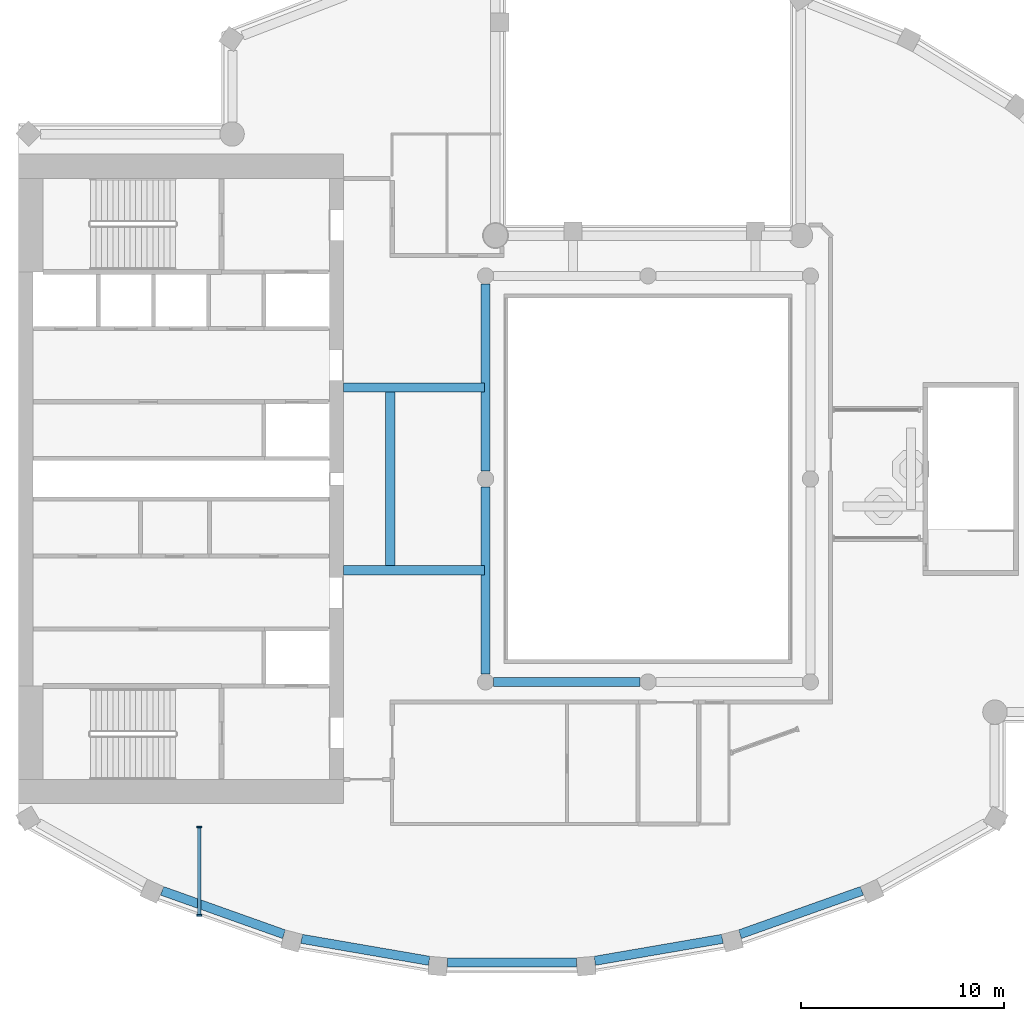
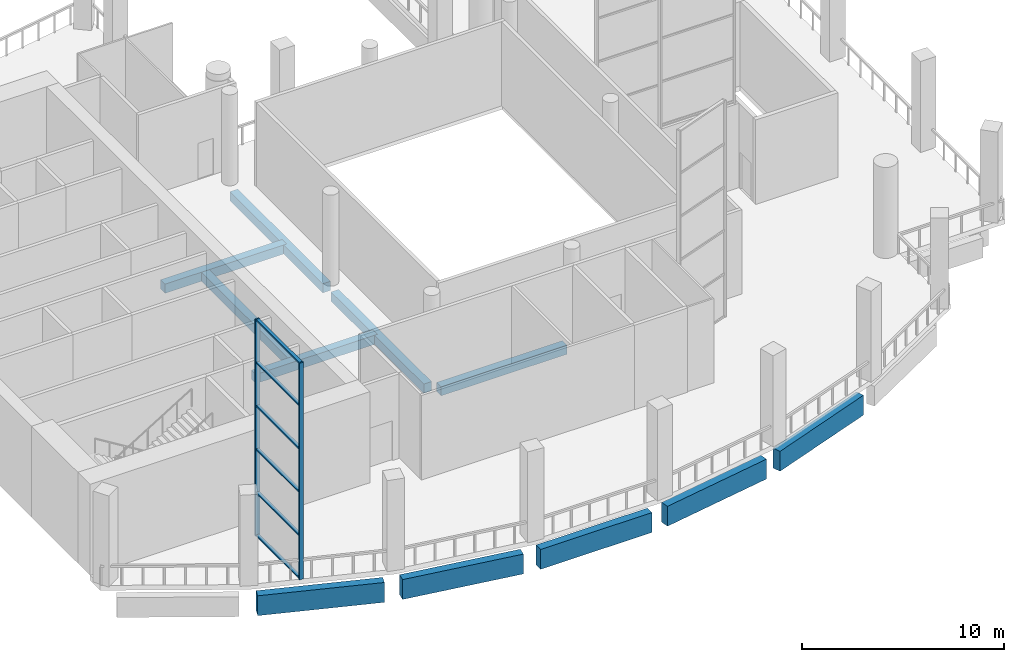
# One storey, part 2 of 12: 11 beams, 8 members, 1 element without a shape of its own.
"""IFC4 building model written with IfcOpenShell, lengths in metres."""

import ifcopenshell
import ifcopenshell.guid

model = None  # the IFC model being written
_history = None  # IfcOwnerHistory: only IFC2X3 demands one
_inside = {}  # id of a spatial element -> (the spatial element, [elements in it])
_under = {}  # id of a project, library or spatial element -> (it, [spatial elements below it])
_declared = {}  # id of a project -> (the project, [libraries it declares])
_typed = {}  # id of a type object -> (the type object, [elements of that type])
_made_of = {}  # id of a material, layer set ... -> (it, [elements and type objects made of it])


def new_model(schema):
    """Start an empty IFC model of exactly this schema.

    Asked for "IFC4X3", IfcOpenShell would pick the latest addendum, in which some entities
    have other attributes; the version numbers below select the first issue.
    IFC2X3 requires an IfcOwnerHistory on every rooted entity: one is made here for all.
    """
    global model, _history
    if schema == "IFC4X3":
        model = ifcopenshell.file(schema_version=(4, 3, 0, 0))
    else:
        model = ifcopenshell.file(schema=schema)
    _inside.clear()
    _under.clear()
    _declared.clear()
    _typed.clear()
    _made_of.clear()
    _history = None
    if model.schema == "IFC2X3":
        org = make("IfcOrganization", Name="unknown")
        user = make(
            "IfcPersonAndOrganization",
            ThePerson=make("IfcPerson", FamilyName="unknown"),
            TheOrganization=org,
        )
        app = make(
            "IfcApplication",
            ApplicationDeveloper=org,
            Version="unknown",
            ApplicationFullName="unknown",
            ApplicationIdentifier="unknown",
        )
        _history = make(
            "IfcOwnerHistory",
            OwningUser=user,
            OwningApplication=app,
            ChangeAction="ADDED",
            CreationDate=0,
        )
    return model


def make(cls, **values):
    """One entity of the class cls with the attributes given. An attribute that is None is left unset."""
    return model.create_entity(
        cls, **{name: value for name, value in values.items() if value is not None}
    )


def rooted(cls, **values):
    """An entity with a GlobalId (a new one), such as an element, a storey or a relation."""
    return make(cls, GlobalId=ifcopenshell.guid.new(), OwnerHistory=_history, **values)


def si_unit(unit_type, name, prefix=None):
    """IfcSIUnit, for example si_unit("LENGTHUNIT", "METRE", prefix="MILLI")."""
    return make("IfcSIUnit", UnitType=unit_type, Prefix=prefix, Name=name)


def assignment(units):
    """IfcUnitAssignment: the units of a project."""
    return None if units is None else make("IfcUnitAssignment", Units=units)


def point(xyz):
    """IfcCartesianPoint."""
    return None if xyz is None else make("IfcCartesianPoint", Coordinates=xyz)


def direction(xyz):
    """IfcDirection."""
    return None if xyz is None else make("IfcDirection", DirectionRatios=xyz)


def frame(location, z_axis=None, x_axis=None):
    """IfcAxis2Placement3D, a coordinate frame: its origin and axes. An axis left out is left unset."""
    return make(
        "IfcAxis2Placement3D",
        Location=point(location),
        Axis=direction(z_axis),
        RefDirection=direction(x_axis),
    )


def frame_2d(location, x_axis=None):
    """IfcAxis2Placement2D, a coordinate frame in the plane: its origin and x axis."""
    return make(
        "IfcAxis2Placement2D", Location=point(location), RefDirection=direction(x_axis)
    )


def origin():
    """The frame at (0, 0, 0) with its axes left unset."""
    return frame((0.0, 0.0, 0.0))


def origin_2d():
    """The frame at (0, 0) in the plane with its x axis left unset."""
    return frame_2d((0.0, 0.0))


def place(relative_to, where):
    """IfcLocalPlacement: puts the frame where relative to a parent placement (None: the world)."""
    return make(
        "IfcLocalPlacement", PlacementRelTo=relative_to, RelativePlacement=where
    )


def context(
    kind, dimensions, precision=None, world=None, true_north=None, identifier=None
):
    """IfcGeometricRepresentationContext, for example the 3D "Model" context."""
    return make(
        "IfcGeometricRepresentationContext",
        ContextIdentifier=identifier,
        ContextType=kind,
        CoordinateSpaceDimension=dimensions,
        Precision=precision,
        WorldCoordinateSystem=world,
        TrueNorth=true_north,
    )


def subcontext(parent, identifier, kind, view, scale=None):
    """IfcGeometricRepresentationSubContext, for example "Body" below "Model"."""
    return make(
        "IfcGeometricRepresentationSubContext",
        ContextIdentifier=identifier,
        ContextType=kind,
        ParentContext=parent,
        TargetScale=scale,
        TargetView=view,
    )


def project(units=None, contexts=None):
    """IfcProject with its units and contexts."""
    return rooted(
        "IfcProject",
        Name="project",
        RepresentationContexts=contexts,
        UnitsInContext=assignment(units),
    )


def spatial(cls, under=None, at=None, **own):
    """A site, building, storey or space (cls), placed at a placement, below another one or the project."""
    s = rooted(cls, ObjectPlacement=at, **own)
    if under is not None:
        _under.setdefault(under.id(), (under, []))[1].append(s)
    return s


def profile(cls, at=None, kind="AREA", **sizes):
    """A parametric profile (cls). Its sizes go by their IFC names, for example OverallWidth=200.0."""
    return make(cls, ProfileType=kind, Position=at, **sizes)


def rectangle(**sizes):
    """IfcRectangleProfileDef."""
    return profile("IfcRectangleProfileDef", **sizes)


def extrude(swept, where, along, depth):
    """IfcExtrudedAreaSolid: the profile swept, set in the frame where, extruded along a direction by depth."""
    return make(
        "IfcExtrudedAreaSolid",
        SweptArea=swept,
        Position=where,
        ExtrudedDirection=direction(along),
        Depth=depth,
    )


def shape(context_of_items, identifier, shape_type, items):
    """IfcShapeRepresentation: the items that make up one representation, for example the "Body"."""
    return make(
        "IfcShapeRepresentation",
        ContextOfItems=context_of_items,
        RepresentationIdentifier=identifier,
        RepresentationType=shape_type,
        Items=items,
    )


def material(Name=None, Category=None):
    """IfcMaterial."""
    return make("IfcMaterial", Name=Name, Category=Category)


def material_profile(
    of_material, cross_section, Name=None, Category=None, Priority=None
):
    """IfcMaterialProfile: a cross section and its material."""
    return make(
        "IfcMaterialProfile",
        Name=Name,
        Material=of_material,
        Profile=cross_section,
        Priority=Priority,
        Category=Category,
    )


def profile_set(profiles, Name=None, composite=None):
    """IfcMaterialProfileSet."""
    return make(
        "IfcMaterialProfileSet",
        Name=Name,
        MaterialProfiles=profiles,
        CompositeProfile=composite,
    )


def made_of(thing, what):
    """Note that an element or type object is made of a material, layer set ...; save() writes the relation."""
    if what is not None:
        _made_of.setdefault(what.id(), (what, []))[1].append(thing)
    return thing


def type_object(cls, material=None, **own):
    """A type object (cls), such as IfcWallType, which elements share."""
    return made_of(rooted(cls, **own), material)


def element(
    cls,
    number,
    at=None,
    inside=None,
    cuts=None,
    type_object=None,
    material=None,
    context=None,
    identifier="Body",
    shape_type=None,
    held_by="IfcProductDefinitionShape",
    body=None,
    shapes=None,
    **own,
):
    """One element of the class cls, such as IfcWall. Its Tag is "e" and its number.

    at: its placement. inside: the storey or other place that contains it. cuts: it is an
    opening in that element (IfcRelVoidsElement). A single representation is given by context,
    identifier, shape_type and body (its items); several are given by shapes. held_by: the class
    of the entity that holds the representations. save() writes the other relations.
    """
    e = rooted(cls, Tag="e%d" % number, ObjectPlacement=at, **own)
    if body is not None:
        shapes = [shape(context, identifier, shape_type, body)]
    if shapes is not None:
        e.Representation = make(held_by, Representations=shapes)
    if inside is not None:
        _inside.setdefault(inside.id(), (inside, []))[1].append(e)
    if cuts is not None:
        rooted(
            "IfcRelVoidsElement", RelatingBuildingElement=cuts, RelatedOpeningElement=e
        )
    if type_object is not None:
        _typed.setdefault(type_object.id(), (type_object, []))[1].append(e)
    return made_of(e, material)


def aggregate(whole, parts):
    """IfcRelAggregates: a whole, such as a stair, and the parts it consists of."""
    return rooted("IfcRelAggregates", RelatingObject=whole, RelatedObjects=parts)


def save(model, path):
    """Write the relations noted so far, then the file.

    IfcRelAggregates (storeys below a building ...), IfcRelContainedInSpatialStructure (elements
    in a storey), IfcRelDefinesByType, IfcRelAssociatesMaterial and IfcRelDeclares: one each for
    every whole, place, type object, material and project.
    """
    for whole, parts in _under.values():
        aggregate(whole, parts)
    for where, things in _inside.values():
        rooted(
            "IfcRelContainedInSpatialStructure",
            RelatedElements=things,
            RelatingStructure=where,
        )
    for kind, things in _typed.values():
        rooted("IfcRelDefinesByType", RelatedObjects=things, RelatingType=kind)
    for what, things in _made_of.values():
        rooted("IfcRelAssociatesMaterial", RelatedObjects=things, RelatingMaterial=what)
    for by, libraries in _declared.values():
        rooted("IfcRelDeclares", RelatingContext=by, RelatedDefinitions=libraries)
    model.write(path)


model = new_model("IFC4")

# Units and contexts
model_context = context("Model", 3, precision=1e-05, world=origin(), true_north=direction((0.0, 1.0)))
body_context = subcontext(model_context, "Body", "Model", "MODEL_VIEW")
ifc_project = project(units=[si_unit("LENGTHUNIT", "METRE"), si_unit("AREAUNIT", "SQUARE_METRE"), si_unit("VOLUMEUNIT", "CUBIC_METRE"), si_unit("PLANEANGLEUNIT", "RADIAN"), si_unit("MASSUNIT", "GRAM", prefix="KILO")], contexts=[model_context])

# Site, building, storey
site_placement = place(None, origin())
site = spatial("IfcSite", under=ifc_project, at=site_placement, CompositionType="ELEMENT")
building_placement = place(site_placement, origin())
building = spatial("IfcBuilding", under=site, at=building_placement, Name="Cypress Arch Tower", CompositionType="ELEMENT")
storey_placement = place(building_placement, frame((0.0, 0.0, 329.5)))
storey = spatial("IfcBuildingStorey", under=building, at=storey_placement, Name="L75", CompositionType="ELEMENT", Elevation=329.5)

# Beams
ifc_material_1 = material(Name="Concrete C50/60", Category="concrete")
ifc_material_profile_1 = material_profile(ifc_material_1, rectangle(XDim=0.449951171875, YDim=0.550048828125, at=origin_2d()), Name="RC 450x550")
ifc_profile_set_1 = profile_set([ifc_material_profile_1], Name="Concrete C50/60")
beam_type_1 = type_object("IfcBeamType", Name="Floor beam RC 450x550 Concrete C50/60", PredefinedType="BEAM", material=ifc_profile_set_1)
for number, where, z_axis, x_axis, name in (
    (1, (-7.0, -9.60009765625, -0.574951171875), (0.0, 1.0, 0.0), (-1.0, 0.0, 0.0), "Floor beam L75 RB001"),
    (2, (-7.0, 0.39990234375, -0.574951171875), (0.0, 1.0, 0.0), (-1.0, 0.0, 0.0), "Floor beam L75 RB002"),
):
    element("IfcBeam", number, at=place(storey_placement, frame(where, z_axis=z_axis, x_axis=x_axis)), inside=storey, type_object=beam_type_1, Name=name, PredefinedType="BEAM", context=body_context, shape_type="SweptSolid", body=[
        extrude(rectangle(XDim=0.449951171875, YDim=0.550048828125, at=origin_2d()), origin(), (0.0, 0.0, 1.0), 9.2001953125),
    ])
beam_1_placement = place(storey_placement, frame((-6.60009765625, -10.0, -0.574951171875), z_axis=(1.0, 0.0, 0.0), x_axis=(0.0, 1.0, 0.0)))
element("IfcBeam", 3, at=beam_1_placement, inside=storey, type_object=beam_type_1, Name="Floor beam L75 RB005", PredefinedType="BEAM", context=body_context, shape_type="SweptSolid", body=[
    extrude(rectangle(XDim=0.449951171875, YDim=0.550048828125, at=origin_2d()), origin(), (0.0, 0.0, 1.0), 7.2001953125),
])
for number, where, z_axis, x_axis, name in (
    (4, (-14.0, -4.5, -0.574951171875), (1.0, 0.0, 0.0), (0.0, 1.0, 0.0), "Floor beam L75 FB009"),
    (5, (-14.0, 4.5, -0.574951171875), (1.0, 0.0, 0.0), (0.0, 1.0, 0.0), "Floor beam L75 FB010"),
):
    element("IfcBeam", number, at=place(storey_placement, frame(where, z_axis=z_axis, x_axis=x_axis)), inside=storey, type_object=beam_type_1, Name=name, PredefinedType="BEAM", context=body_context, shape_type="SweptSolid", body=[
        extrude(rectangle(XDim=0.449951171875, YDim=0.550048828125, at=origin_2d()), origin(), (0.0, 0.0, 1.0), 6.949951171875),
    ])
beam_2_placement = place(storey_placement, frame((-11.699951171875, -4.27490234375, -0.574951171875), z_axis=(0.0, 1.0, 0.0), x_axis=(-1.0, 0.0, 0.0)))
element("IfcBeam", 6, at=beam_2_placement, inside=storey, type_object=beam_type_1, Name="Floor beam L75 FB011", PredefinedType="BEAM", context=body_context, shape_type="SweptSolid", body=[
    extrude(rectangle(XDim=0.449951171875, YDim=0.550048828125, at=origin_2d()), origin(), (0.0, 0.0, 1.0), 8.5498046875),
])

# Curtain wall, members
ifc_material_2 = material(Name="Anodised aluminium, bronze finish, solar control laminated double glazing", Category="aluminium")
curtain_wall_type = type_object("IfcCurtainWallType", Name="Curtain wall CW5 observation lounge wall", PredefinedType="NOTDEFINED", material=ifc_material_2)
curtain_wall_placement = place(storey_placement, origin())
curtain_wall = element("IfcCurtainWall", 7, at=curtain_wall_placement, inside=storey, type_object=curtain_wall_type, Name="Curtain wall L75 E11.1.1", PredefinedType="NOTDEFINED")
ifc_material_3 = material(Name="Anodised aluminium, bronze finish", Category="aluminium")
ifc_material_profile_2 = material_profile(ifc_material_3, rectangle(XDim=0.239990234375, YDim=0.0849609375, at=origin_2d()), Name="Mullion 85x240")
ifc_profile_set_2 = profile_set([ifc_material_profile_2], Name="Anodised aluminium, bronze finish")
member_type_1 = type_object("IfcMemberType", Name="Mullion CW5 85x240", PredefinedType="MULLION", material=ifc_profile_set_2)
member_1_placement = place(storey_placement, frame((-21.10009765625, -17.142578125, 0.0), z_axis=(0.0, 0.0, 1.0), x_axis=(1.0, 0.0, 0.0)))
member_1 = element("IfcMember", 8, at=member_1_placement, type_object=member_type_1, Name="CW5 mullion 1", PredefinedType="MULLION", context=body_context, shape_type="SweptSolid", body=[
    extrude(rectangle(XDim=0.239990234375, YDim=0.0849609375, at=origin_2d()), origin(), (0.0, 0.0, 1.0), 13.10009765625),
])
member_2_placement = place(storey_placement, frame((-21.10009765625, -21.495849609375, 0.0), z_axis=(0.0, 0.0, 1.0), x_axis=(1.0, 0.0, 0.0)))
member_2 = element("IfcMember", 9, at=member_2_placement, type_object=member_type_1, Name="CW5 mullion 2", PredefinedType="MULLION", context=body_context, shape_type="SweptSolid", body=[
    extrude(rectangle(XDim=0.239990234375, YDim=0.0849609375, at=origin_2d()), origin(), (0.0, 0.0, 1.0), 13.10009765625),
])

# Beams
ifc_material_4 = material(Name="Concrete C50/60", Category="concrete")
ifc_material_profile_3 = material_profile(ifc_material_4, rectangle(XDim=0.449951171875, YDim=1.199951171875, at=origin_2d()), Name="RC 450x1200")
ifc_profile_set_3 = profile_set([ifc_material_profile_3], Name="Concrete C50/60")
beam_type_2 = type_object("IfcBeamType", Name="Spandrel beam RC 450x1200 Concrete C50/60", PredefinedType="SPANDREL", material=ifc_profile_set_3)
beam_3_placement = place(storey_placement, frame((-22.93603515625, -20.2919921875, -1.550048828125), z_axis=(0.942120065582, -0.33527568064, 0.0), x_axis=(0.33527568064, 0.942120065582, 0.0)))
element("IfcBeam", 10, at=beam_3_placement, inside=storey, type_object=beam_type_2, Name="Spandrel beam L75 BC09-0", PredefinedType="SPANDREL", context=body_context, shape_type="SweptSolid", body=[
    extrude(rectangle(XDim=0.449951171875, YDim=1.199951171875, at=origin_2d()), origin(), (0.0, 0.0, 1.0), 6.373046875),
])
beam_4_placement = place(storey_placement, frame((-16.061279296875, -22.656982421875, -1.550048828125), z_axis=(0.985502990778, -0.169658053646, 0.0), x_axis=(0.169658053646, 0.985502990778, 0.0)))
element("IfcBeam", 11, at=beam_4_placement, inside=storey, type_object=beam_type_2, Name="Spandrel beam L75 BC10-0", PredefinedType="SPANDREL", context=body_context, shape_type="SweptSolid", body=[
    extrude(rectangle(XDim=0.449951171875, YDim=1.199951171875, at=origin_2d()), origin(), (0.0, 0.0, 1.0), 6.373291015625),
])
beam_5_placement = place(storey_placement, frame((-8.883544921875, -23.81494140625, -1.550048828125), z_axis=(1.0, 0.0, 0.0), x_axis=(0.0, 1.0, 0.0)))
element("IfcBeam", 12, at=beam_5_placement, inside=storey, type_object=beam_type_2, Name="Spandrel beam L75 BC11-0", PredefinedType="SPANDREL", context=body_context, shape_type="SweptSolid", body=[
    extrude(rectangle(XDim=0.449951171875, YDim=1.199951171875, at=origin_2d()), origin(), (0.0, 0.0, 1.0), 6.366943359375),
])
beam_6_placement = place(storey_placement, frame((-1.619873046875, -23.73828125, -1.550048828125), z_axis=(0.985504093315, 0.169651649149, 0.0), x_axis=(-0.169651649149, 0.985504093315, 0.0)))
element("IfcBeam", 13, at=beam_6_placement, inside=storey, type_object=beam_type_2, Name="Spandrel beam L75 BC12-0", PredefinedType="SPANDREL", context=body_context, shape_type="SweptSolid", body=[
    extrude(rectangle(XDim=0.449951171875, YDim=1.199951171875, at=origin_2d()), origin(), (0.0, 0.0, 1.0), 6.37353515625),
])
beam_7_placement = place(storey_placement, frame((5.531982421875, -22.4287109375, -1.550048828125), z_axis=(0.942115759102, 0.335287781541, 0.0), x_axis=(-0.335287781541, 0.942115759102, 0.0)))
element("IfcBeam", 14, at=beam_7_placement, inside=storey, type_object=beam_type_2, Name="Spandrel beam L75 BC13-0", PredefinedType="SPANDREL", context=body_context, shape_type="SweptSolid", body=[
    extrude(rectangle(XDim=0.449951171875, YDim=1.199951171875, at=origin_2d()), origin(), (0.0, 0.0, 1.0), 6.372802734375),
])

# Member
ifc_material_5 = material(Name="Anodised aluminium, bronze finish", Category="aluminium")
ifc_material_profile_4 = material_profile(ifc_material_5, rectangle(XDim=0.179931640625, YDim=0.0849609375, at=origin_2d()), Name="Transom 85x180")
ifc_profile_set_4 = profile_set([ifc_material_profile_4], Name="Anodised aluminium, bronze finish")
member_type_2 = type_object("IfcMemberType", Name="Transom CW5 85x180", PredefinedType="USERDEFINED", material=ifc_profile_set_4)
member_3_placement = place(storey_placement, frame((-21.10009765625, -17.18505859375, 0.04248046875), z_axis=(0.0, -1.0, 0.0), x_axis=(1.0, 0.0, 0.0)))
member_3 = element("IfcMember", 15, at=member_3_placement, type_object=member_type_2, Name="CW5 transom 1.1", ObjectType="TRANSOM", PredefinedType="USERDEFINED", context=body_context, shape_type="SweptSolid", body=[
    extrude(rectangle(XDim=0.179931640625, YDim=0.0849609375, at=origin_2d()), origin(), (0.0, 0.0, 1.0), 4.26806640625),
])

member_4_placement = place(storey_placement, frame((-21.10009765625, -17.18505859375, 2.6201171875), z_axis=(0.0, -1.0, 0.0), x_axis=(1.0, 0.0, 0.0)))
member_4 = element("IfcMember", 16, at=member_4_placement, type_object=member_type_2, Name="CW5 transom 1.2", ObjectType="TRANSOM", PredefinedType="USERDEFINED", context=body_context, shape_type="SweptSolid", body=[
    extrude(rectangle(XDim=0.179931640625, YDim=0.0849609375, at=origin_2d()), origin(), (0.0, 0.0, 1.0), 4.26806640625),
])

member_5_placement = place(storey_placement, frame((-21.10009765625, -17.18505859375, 5.239990234375), z_axis=(0.0, -1.0, 0.0), x_axis=(1.0, 0.0, 0.0)))
member_5 = element("IfcMember", 17, at=member_5_placement, type_object=member_type_2, Name="CW5 transom 1.3", ObjectType="TRANSOM", PredefinedType="USERDEFINED", context=body_context, shape_type="SweptSolid", body=[
    extrude(rectangle(XDim=0.179931640625, YDim=0.0849609375, at=origin_2d()), origin(), (0.0, 0.0, 1.0), 4.26806640625),
])

member_6_placement = place(storey_placement, frame((-21.10009765625, -17.18505859375, 7.860107421875), z_axis=(0.0, -1.0, 0.0), x_axis=(1.0, 0.0, 0.0)))
member_6 = element("IfcMember", 18, at=member_6_placement, type_object=member_type_2, Name="CW5 transom 1.4", ObjectType="TRANSOM", PredefinedType="USERDEFINED", context=body_context, shape_type="SweptSolid", body=[
    extrude(rectangle(XDim=0.179931640625, YDim=0.0849609375, at=origin_2d()), origin(), (0.0, 0.0, 1.0), 4.26806640625),
])

member_7_placement = place(storey_placement, frame((-21.10009765625, -17.18505859375, 10.47998046875), z_axis=(0.0, -1.0, 0.0), x_axis=(1.0, 0.0, 0.0)))
member_7 = element("IfcMember", 19, at=member_7_placement, type_object=member_type_2, Name="CW5 transom 1.5", ObjectType="TRANSOM", PredefinedType="USERDEFINED", context=body_context, shape_type="SweptSolid", body=[
    extrude(rectangle(XDim=0.179931640625, YDim=0.0849609375, at=origin_2d()), origin(), (0.0, 0.0, 1.0), 4.26806640625),
])

member_8_placement = place(storey_placement, frame((-21.10009765625, -17.18505859375, 13.0576171875), z_axis=(0.0, -1.0, 0.0), x_axis=(1.0, 0.0, 0.0)))
member_8 = element("IfcMember", 20, at=member_8_placement, type_object=member_type_2, Name="CW5 transom 1.6", ObjectType="TRANSOM", PredefinedType="USERDEFINED", context=body_context, shape_type="SweptSolid", body=[
    extrude(rectangle(XDim=0.179931640625, YDim=0.0849609375, at=origin_2d()), origin(), (0.0, 0.0, 1.0), 4.26806640625),
])

aggregate(curtain_wall, [member_1, member_2, member_3, member_4, member_5, member_6, member_7, member_8])

save(model, "model.ifc")
